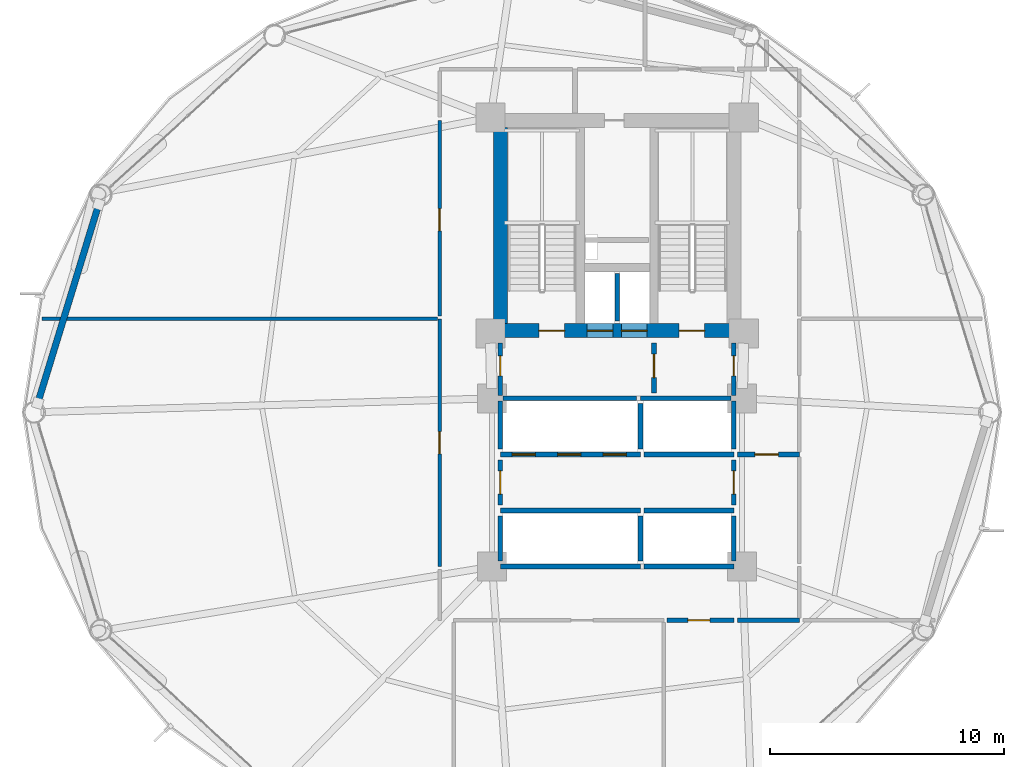
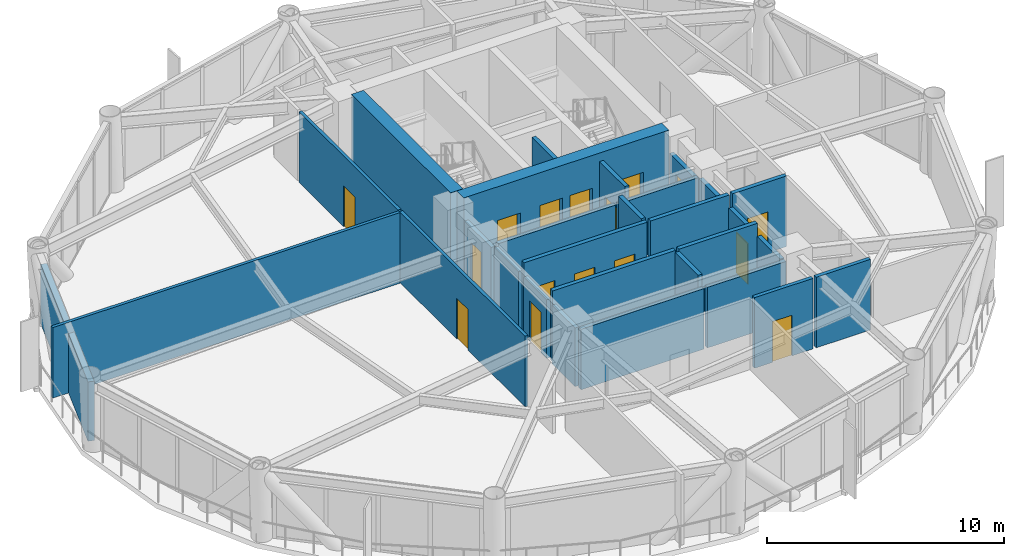
# One storey, part 21 of 25: 29 walls, 16 doors, 16 openings.
"""IFC4 building model written with IfcOpenShell, lengths in metres."""

from ifc_helpers import new_model, si_unit, direction, frame, frame_2d, origin, place, context, subcontext, project, spatial, rectangle, extrude, material, layer, layer_set, type_object, element, fill, save


model = new_model("IFC4")

# Units and contexts
model_context = context("Model", 3, precision=1e-05, world=origin(), true_north=direction((0.0, 1.0)))
body_context = subcontext(model_context, "Body", "Model", "MODEL_VIEW")
ifc_project = project(units=[si_unit("LENGTHUNIT", "METRE"), si_unit("AREAUNIT", "SQUARE_METRE"), si_unit("VOLUMEUNIT", "CUBIC_METRE"), si_unit("PLANEANGLEUNIT", "RADIAN"), si_unit("MASSUNIT", "GRAM", prefix="KILO")], contexts=[model_context])

# Site, building, storey
site_placement = place(None, origin())
site = spatial("IfcSite", under=ifc_project, at=site_placement, CompositionType="ELEMENT")
building_placement = place(site_placement, origin())
building = spatial("IfcBuilding", under=site, at=building_placement, Name="Varnakorn Sky Granary", CompositionType="ELEMENT")
storey_placement = place(building_placement, frame((0.0, 0.0, 35.39990234375)))
storey = spatial("IfcBuildingStorey", under=building, at=storey_placement, Name="L08", CompositionType="ELEMENT", Elevation=35.39990234375)

# Wall, openings, doors
ifc_material_1 = material(Name="Concrete C60/75", Category="concrete")
ifc_layer_1 = layer(ifc_material_1, 0.60009765625, Name="Concrete C60/75")
ifc_layer_set_1 = layer_set([ifc_layer_1], Name="Concrete C60/75")
wall_type_1 = type_object("IfcWallType", Name="WT-CW-SHEAR-600", PredefinedType="SHEAR", material=ifc_layer_set_1)
wall_1_placement = place(storey_placement, frame((-2.0, 3.5, 0.0), z_axis=(0.0, 0.0, 1.0), x_axis=(1.0, 0.0, 0.0)))
wall_1 = element("IfcWall", 1, at=wall_1_placement, inside=storey, type_object=wall_type_1, Name="Core South Shear Wall L08", PredefinedType="SHEAR", context=body_context, shape_type="SweptSolid", body=[
    extrude(rectangle(XDim=10.0, YDim=0.60009765625, at=frame_2d((5.0, 0.0))), origin(), (0.0, 0.0, 1.0), 3.89208984375),
])
opening_1_placement = place(wall_1_placement, frame((1.64990234375, 0.0, 0.0)))
opening_1 = element("IfcOpeningElement", 2, at=opening_1_placement, cuts=wall_1, Name="Opening FD-90", PredefinedType="OPENING", context=body_context, shape_type="SweptSolid", body=[
    extrude(rectangle(XDim=1.10009765625, YDim=2.14990234375, at=frame_2d((0.550048828125, 1.074951171875))), frame((0.0, 0.31005859375, 0.0), z_axis=(0.0, -1.0, 0.0), x_axis=(1.0, 0.0, 0.0)), (0.0, 0.0, 1.0), 0.6201171875),
])
opening_2_placement = place(wall_1_placement, frame((7.64990234375, 0.0, 0.0)))
opening_2 = element("IfcOpeningElement", 3, at=opening_2_placement, cuts=wall_1, Name="Opening FD-90", PredefinedType="OPENING", context=body_context, shape_type="SweptSolid", body=[
    extrude(rectangle(XDim=1.10009765625, YDim=2.14990234375, at=frame_2d((0.550048828125, 1.074951171875))), frame((0.0, 0.31005859375, 0.0), z_axis=(0.0, -1.0, 0.0), x_axis=(1.0, 0.0, 0.0)), (0.0, 0.0, 1.0), 0.6201171875),
])
opening_3_placement = place(wall_1_placement, frame((3.719970703125, 0.0, 0.0)))
opening_3 = element("IfcOpeningElement", 4, at=opening_3_placement, cuts=wall_1, Name="Opening LD-01", PredefinedType="OPENING", context=body_context, shape_type="SweptSolid", body=[
    extrude(rectangle(XDim=1.10009765625, YDim=2.199951171875, at=frame_2d((0.550048828125, 1.10009765625))), frame((0.0, 0.31005859375, 0.0), z_axis=(0.0, -1.0, 0.0), x_axis=(1.0, 0.0, 0.0)), (0.0, 0.0, 1.0), 0.6201171875),
])
opening_4_placement = place(wall_1_placement, frame((5.179931640625, 0.0, 0.0)))
opening_4 = element("IfcOpeningElement", 5, at=opening_4_placement, cuts=wall_1, Name="Opening LD-01", PredefinedType="OPENING", context=body_context, shape_type="SweptSolid", body=[
    extrude(rectangle(XDim=1.10009765625, YDim=2.199951171875, at=frame_2d((0.550048828125, 1.10009765625))), frame((0.0, 0.31005859375, 0.0), z_axis=(0.0, -1.0, 0.0), x_axis=(1.0, 0.0, 0.0)), (0.0, 0.0, 1.0), 0.6201171875),
])
ifc_material_2 = material(Name="Brushed Bronze Stainless Steel", Category="steel")
door_type_1 = type_object("IfcDoorType", Name="DR-LD-1100", OperationType="DOUBLE_DOOR_SLIDING", PredefinedType="DOOR", material=ifc_material_2)
door_1_placement = place(opening_3_placement, origin())
door_1 = element("IfcDoor", 6, at=door_1_placement, inside=storey, type_object=door_type_1, Name="Firefighting Lift FFL-1 Landing Door L08", OperationType="DOUBLE_DOOR_SLIDING", OverallHeight=2.199951171875, OverallWidth=1.10009765625, PredefinedType="DOOR", context=body_context, shape_type="SweptSolid", body=[
    extrude(rectangle(XDim=1.10009765625, YDim=2.199951171875, at=frame_2d((0.550048828125, 1.10009765625))), frame((0.0, 0.02490234375, 0.0), z_axis=(0.0, -1.0, 0.0), x_axis=(1.0, 0.0, 0.0)), (0.0, 0.0, 1.0), 0.050048828125),
])
fill(opening_3, door_1)
door_2_placement = place(opening_4_placement, origin())
door_2 = element("IfcDoor", 7, at=door_2_placement, inside=storey, type_object=door_type_1, Name="Firefighting Lift FFL-2 Landing Door L08", OperationType="DOUBLE_DOOR_SLIDING", OverallHeight=2.199951171875, OverallWidth=1.10009765625, PredefinedType="DOOR", context=body_context, shape_type="SweptSolid", body=[
    extrude(rectangle(XDim=1.10009765625, YDim=2.199951171875, at=frame_2d((0.550048828125, 1.10009765625))), frame((0.0, 0.02490234375, 0.0), z_axis=(0.0, -1.0, 0.0), x_axis=(1.0, 0.0, 0.0)), (0.0, 0.0, 1.0), 0.050048828125),
])
fill(opening_4, door_2)
ifc_material_3 = material(Name="Galvanised Painted Steel Leaf", Category="steel")
door_type_2 = type_object("IfcDoorType", Name="DR-STAIR-1100", OperationType="NOTDEFINED", PredefinedType="DOOR", material=ifc_material_3)
door_3_placement = place(opening_1_placement, origin())
door_3 = element("IfcDoor", 8, at=door_3_placement, inside=storey, type_object=door_type_2, Name="Stair ST-1 Protected Fire Door L08", OperationType="SINGLE_SWING_LEFT", OverallHeight=2.14990234375, OverallWidth=1.10009765625, PredefinedType="DOOR", context=body_context, shape_type="SweptSolid", body=[
    extrude(rectangle(XDim=1.10009765625, YDim=2.14990234375, at=frame_2d((0.550048828125, 1.074951171875))), frame((0.0, 0.02490234375, 0.0), z_axis=(0.0, -1.0, 0.0), x_axis=(1.0, 0.0, 0.0)), (0.0, 0.0, 1.0), 0.050048828125),
])
fill(opening_1, door_3)
door_4_placement = place(opening_2_placement, origin())
door_4 = element("IfcDoor", 9, at=door_4_placement, inside=storey, type_object=door_type_2, Name="Stair ST-2 Protected Fire Door L08", OperationType="SINGLE_SWING_RIGHT", OverallHeight=2.14990234375, OverallWidth=1.10009765625, PredefinedType="DOOR", context=body_context, shape_type="SweptSolid", body=[
    extrude(rectangle(XDim=1.10009765625, YDim=2.14990234375, at=frame_2d((0.550048828125, 1.074951171875))), frame((0.0, 0.02490234375, 0.0), z_axis=(0.0, -1.0, 0.0), x_axis=(1.0, 0.0, 0.0)), (0.0, 0.0, 1.0), 0.050048828125),
])
fill(opening_2, door_4)

# Walls
wall_2_placement = place(storey_placement, frame((-2.0, 3.81005859375, 0.0), z_axis=(0.0, 0.0, 1.0), x_axis=(0.0, 1.0, 0.0)))
element("IfcWall", 10, at=wall_2_placement, inside=storey, type_object=wall_type_1, Name="Core West Shear Wall L08", PredefinedType="SHEAR", context=body_context, shape_type="SweptSolid", body=[
    extrude(rectangle(XDim=8.3798828125, YDim=0.60009765625, at=frame_2d((4.18994140625, 0.0))), origin(), (0.0, 0.0, 1.0), 3.89208984375),
])
ifc_material_4 = material(Name="Precast concrete C40/50", Category="concrete")
ifc_layer_2 = layer(ifc_material_4, 0.280029296875, Name="Precast concrete C40/50")
ifc_layer_set_2 = layer_set([ifc_layer_2], Name="Precast concrete C40/50")
wall_type_2 = type_object("IfcWallType", Name="WT-EW-CRN-280", PredefinedType="SOLIDWALL", material=ifc_layer_set_2)
wall_3_placement = place(storey_placement, frame((-21.80322265625, 0.393798828125, 0.0), z_axis=(0.0, 0.0, 1.0), x_axis=(0.293209332381, 0.956048266253, 0.0)))
element("IfcWall", 11, at=wall_3_placement, inside=storey, type_object=wall_type_2, Name="Agritech Insulated Precast Facade Wall L08-P06", PredefinedType="SOLIDWALL", context=body_context, shape_type="SweptSolid", body=[
    extrude(rectangle(XDim=8.90673828125, YDim=0.280029296875, at=frame_2d((4.453369140625, 0.0))), origin(), (0.0, 0.0, 1.0), 3.06005859375),
])

# Wall, opening, door
ifc_material_5 = material(Name="Autoclaved Aerated Concrete Blockwork", Category="masonry")
ifc_layer_3 = layer(ifc_material_5, 0.199951171875, Name="Autoclaved Aerated Concrete Blockwork")
ifc_layer_set_3 = layer_set([ifc_layer_3], Name="Autoclaved Aerated Concrete Blockwork")
wall_type_3 = type_object("IfcWallType", Name="WT-FIRE-200", PredefinedType="MOVABLE", material=ifc_layer_set_3)
wall_4_placement = place(storey_placement, frame((4.580078125, 0.830078125, 0.0), z_axis=(0.0, 0.0, 1.0), x_axis=(0.0, 1.0, 0.0)))
wall_4 = element("IfcWall", 12, at=wall_4_placement, inside=storey, type_object=wall_type_3, Name="Interior Partition Wall L08-016", PredefinedType="MOVABLE", context=body_context, shape_type="SweptSolid", body=[
    extrude(rectangle(XDim=2.139892578125, YDim=0.199951171875, at=frame_2d((1.06982421875, 0.0))), origin(), (0.0, 0.0, 1.0), 3.64013671875),
])
opening_5_placement = place(wall_4_placement, frame((0.659912109375, 0.0, 0.0)))
opening_5 = element("IfcOpeningElement", 13, at=opening_5_placement, cuts=wall_4, Name="Opening FD-60", PredefinedType="OPENING", context=body_context, shape_type="SweptSolid", body=[
    extrude(rectangle(XDim=1.0, YDim=2.10009765625, at=frame_2d((0.5, 1.050048828125))), frame((0.0, 0.10986328125, 0.0), z_axis=(0.0, -1.0, 0.0), x_axis=(1.0, 0.0, 0.0)), (0.0, 0.0, 1.0), 0.219970703125),
])
ifc_material_6 = material(Name="Acoustic Timber Fire Leaf", Category="wood")
door_type_3 = type_object("IfcDoorType", Name="DR-FD60-1000", OperationType="NOTDEFINED", PredefinedType="DOOR", material=ifc_material_6)
door_5_placement = place(opening_5_placement, origin())
door_5 = element("IfcDoor", 14, at=door_5_placement, inside=storey, type_object=door_type_3, Name="Interior Door L08-016-1", OperationType="SINGLE_SWING_LEFT", OverallHeight=2.10009765625, OverallWidth=1.0, PredefinedType="DOOR", context=body_context, shape_type="SweptSolid", body=[
    extrude(rectangle(XDim=1.0, YDim=2.10009765625, at=frame_2d((0.5, 1.050048828125))), frame((0.0, 0.02490234375, 0.0), z_axis=(0.0, -1.0, 0.0), x_axis=(1.0, 0.0, 0.0)), (0.0, 0.0, 1.0), 0.050048828125),
])
fill(opening_5, door_5)

wall_5_placement = place(storey_placement, frame((-2.0, 0.719970703125, 0.0), z_axis=(0.0, 0.0, 1.0), x_axis=(0.0, 1.0, 0.0)))
wall_5 = element("IfcWall", 15, at=wall_5_placement, inside=storey, type_object=wall_type_3, Name="Interior Partition Wall L08-017", PredefinedType="MOVABLE", context=body_context, shape_type="SweptSolid", body=[
    extrude(rectangle(XDim=2.25, YDim=0.199951171875, at=frame_2d((1.125, 0.0))), origin(), (0.0, 0.0, 1.0), 2.8720703125),
])
opening_6_placement = place(wall_5_placement, frame((0.844970703125, 0.0, 0.0)))
opening_6 = element("IfcOpeningElement", 16, at=opening_6_placement, cuts=wall_5, Name="Opening FD-60N", PredefinedType="OPENING", context=body_context, shape_type="SweptSolid", body=[
    extrude(rectangle(XDim=0.85009765625, YDim=2.10009765625, at=frame_2d((0.425048828125, 1.050048828125))), frame((0.0, 0.10986328125, 0.0), z_axis=(0.0, -1.0, 0.0), x_axis=(1.0, 0.0, 0.0)), (0.0, 0.0, 1.0), 0.219970703125),
])
door_type_4 = type_object("IfcDoorType", Name="DR-FD60-850", OperationType="NOTDEFINED", PredefinedType="DOOR", material=ifc_material_6)
door_6_placement = place(opening_6_placement, origin())
door_6 = element("IfcDoor", 17, at=door_6_placement, inside=storey, type_object=door_type_4, Name="Interior Door L08-017-1", OperationType="SINGLE_SWING_RIGHT", OverallHeight=2.10009765625, OverallWidth=0.85009765625, PredefinedType="DOOR", context=body_context, shape_type="SweptSolid", body=[
    extrude(rectangle(XDim=0.85009765625, YDim=2.10009765625, at=frame_2d((0.425048828125, 1.050048828125))), frame((0.0, 0.02490234375, 0.0), z_axis=(0.0, -1.0, 0.0), x_axis=(1.0, 0.0, 0.0)), (0.0, 0.0, 1.0), 0.050048828125),
])
fill(opening_6, door_6)

wall_6_placement = place(storey_placement, frame((8.0, 0.719970703125, 0.0), z_axis=(0.0, 0.0, 1.0), x_axis=(0.0, 1.0, 0.0)))
wall_6 = element("IfcWall", 18, at=wall_6_placement, inside=storey, type_object=wall_type_3, Name="Interior Partition Wall L08-018", PredefinedType="MOVABLE", context=body_context, shape_type="SweptSolid", body=[
    extrude(rectangle(XDim=2.25, YDim=0.199951171875, at=frame_2d((1.125, 0.0))), origin(), (0.0, 0.0, 1.0), 2.8720703125),
])
opening_7_placement = place(wall_6_placement, frame((0.844970703125, 0.0, 0.0)))
opening_7 = element("IfcOpeningElement", 19, at=opening_7_placement, cuts=wall_6, Name="Opening FD-60N", PredefinedType="OPENING", context=body_context, shape_type="SweptSolid", body=[
    extrude(rectangle(XDim=0.85009765625, YDim=2.10009765625, at=frame_2d((0.425048828125, 1.050048828125))), frame((0.0, 0.10986328125, 0.0), z_axis=(0.0, -1.0, 0.0), x_axis=(1.0, 0.0, 0.0)), (0.0, 0.0, 1.0), 0.219970703125),
])
door_7_placement = place(opening_7_placement, origin())
door_7 = element("IfcDoor", 20, at=door_7_placement, inside=storey, type_object=door_type_4, Name="Interior Door L08-018-1", OperationType="SINGLE_SWING_LEFT", OverallHeight=2.10009765625, OverallWidth=0.85009765625, PredefinedType="DOOR", context=body_context, shape_type="SweptSolid", body=[
    extrude(rectangle(XDim=0.85009765625, YDim=2.10009765625, at=frame_2d((0.425048828125, 1.050048828125))), frame((0.0, 0.02490234375, 0.0), z_axis=(0.0, -1.0, 0.0), x_axis=(1.0, 0.0, 0.0)), (0.0, 0.0, 1.0), 0.050048828125),
])
fill(opening_7, door_7)

wall_7_placement = place(storey_placement, frame((-2.0, -3.969970703125, 0.0), z_axis=(0.0, 0.0, 1.0), x_axis=(0.0, 1.0, 0.0)))
wall_7 = element("IfcWall", 21, at=wall_7_placement, inside=storey, type_object=wall_type_3, Name="Interior Partition Wall L08-019", PredefinedType="MOVABLE", context=body_context, shape_type="SweptSolid", body=[
    extrude(rectangle(XDim=1.93994140625, YDim=0.199951171875, at=frame_2d((0.969970703125, 0.0))), origin(), (0.0, 0.0, 1.0), 3.022216796875),
])
opening_8_placement = place(wall_7_placement, frame((0.469970703125, 0.0, 0.0)))
opening_8 = element("IfcOpeningElement", 22, at=opening_8_placement, cuts=wall_7, Name="Opening FD-60", PredefinedType="OPENING", context=body_context, shape_type="SweptSolid", body=[
    extrude(rectangle(XDim=1.0, YDim=2.10009765625, at=frame_2d((0.5, 1.050048828125))), frame((0.0, 0.10986328125, 0.0), z_axis=(0.0, -1.0, 0.0), x_axis=(1.0, 0.0, 0.0)), (0.0, 0.0, 1.0), 0.219970703125),
])
door_8_placement = place(opening_8_placement, origin())
door_8 = element("IfcDoor", 23, at=door_8_placement, inside=storey, type_object=door_type_3, Name="Interior Door L08-019-1", OperationType="SINGLE_SWING_RIGHT", OverallHeight=2.10009765625, OverallWidth=1.0, PredefinedType="DOOR", context=body_context, shape_type="SweptSolid", body=[
    extrude(rectangle(XDim=1.0, YDim=2.10009765625, at=frame_2d((0.5, 1.050048828125))), frame((0.0, 0.02490234375, 0.0), z_axis=(0.0, -1.0, 0.0), x_axis=(1.0, 0.0, 0.0)), (0.0, 0.0, 1.0), 0.050048828125),
])
fill(opening_8, door_8)

wall_8_placement = place(storey_placement, frame((8.0, -3.969970703125, 0.0), z_axis=(0.0, 0.0, 1.0), x_axis=(0.0, 1.0, 0.0)))
wall_8 = element("IfcWall", 24, at=wall_8_placement, inside=storey, type_object=wall_type_3, Name="Interior Partition Wall L08-020", PredefinedType="MOVABLE", context=body_context, shape_type="SweptSolid", body=[
    extrude(rectangle(XDim=1.93994140625, YDim=0.199951171875, at=frame_2d((0.969970703125, 0.0))), origin(), (0.0, 0.0, 1.0), 3.072021484375),
])
opening_9_placement = place(wall_8_placement, frame((0.469970703125, 0.0, 0.0)))
opening_9 = element("IfcOpeningElement", 25, at=opening_9_placement, cuts=wall_8, Name="Opening FD-60", PredefinedType="OPENING", context=body_context, shape_type="SweptSolid", body=[
    extrude(rectangle(XDim=1.0, YDim=2.10009765625, at=frame_2d((0.5, 1.050048828125))), frame((0.0, 0.10986328125, 0.0), z_axis=(0.0, -1.0, 0.0), x_axis=(1.0, 0.0, 0.0)), (0.0, 0.0, 1.0), 0.219970703125),
])
door_9_placement = place(opening_9_placement, origin())
door_9 = element("IfcDoor", 26, at=door_9_placement, inside=storey, type_object=door_type_3, Name="Interior Door L08-020-1", OperationType="SINGLE_SWING_LEFT", OverallHeight=2.10009765625, OverallWidth=1.0, PredefinedType="DOOR", context=body_context, shape_type="SweptSolid", body=[
    extrude(rectangle(XDim=1.0, YDim=2.10009765625, at=frame_2d((0.5, 1.050048828125))), frame((0.0, 0.02490234375, 0.0), z_axis=(0.0, -1.0, 0.0), x_axis=(1.0, 0.0, 0.0)), (0.0, 0.0, 1.0), 0.050048828125),
])
fill(opening_9, door_9)

wall_9_placement = place(storey_placement, frame((8.159912109375, -1.800048828125, 0.0), z_axis=(0.0, 0.0, 1.0), x_axis=(1.0, 0.0, 0.0)))
wall_9 = element("IfcWall", 27, at=wall_9_placement, inside=storey, type_object=wall_type_3, Name="Interior Partition Wall L08-021", PredefinedType="MOVABLE", context=body_context, shape_type="SweptSolid", body=[
    extrude(rectangle(XDim=2.64013671875, YDim=0.199951171875, at=frame_2d((1.320068359375, 0.0))), origin(), (0.0, 0.0, 1.0), 3.64013671875),
])
opening_10_placement = place(wall_9_placement, frame((0.739990234375, 0.0, 0.0)))
opening_10 = element("IfcOpeningElement", 28, at=opening_10_placement, cuts=wall_9, Name="Opening FD-60", PredefinedType="OPENING", context=body_context, shape_type="SweptSolid", body=[
    extrude(rectangle(XDim=1.0, YDim=2.10009765625, at=frame_2d((0.5, 1.050048828125))), frame((0.0, 0.10986328125, 0.0), z_axis=(0.0, -1.0, 0.0), x_axis=(1.0, 0.0, 0.0)), (0.0, 0.0, 1.0), 0.219970703125),
])
door_10_placement = place(opening_10_placement, origin())
door_10 = element("IfcDoor", 29, at=door_10_placement, inside=storey, type_object=door_type_3, Name="Interior Door L08-021-1", OperationType="SINGLE_SWING_RIGHT", OverallHeight=2.10009765625, OverallWidth=1.0, PredefinedType="DOOR", context=body_context, shape_type="SweptSolid", body=[
    extrude(rectangle(XDim=1.0, YDim=2.10009765625, at=frame_2d((0.5, 1.050048828125))), frame((0.0, 0.02490234375, 0.0), z_axis=(0.0, -1.0, 0.0), x_axis=(1.0, 0.0, 0.0)), (0.0, 0.0, 1.0), 0.050048828125),
])
fill(opening_10, door_10)

# Wall
wall_10_placement = place(storey_placement, frame((-1.8798828125, 0.60009765625, 0.0), z_axis=(0.0, 0.0, 1.0), x_axis=(1.0, 0.0, 0.0)))
element("IfcWall", 30, at=wall_10_placement, inside=storey, type_object=wall_type_3, Name="Interior Partition Wall L08-029", PredefinedType="MOVABLE", context=body_context, shape_type="SweptSolid", body=[
    extrude(rectangle(XDim=5.719970703125, YDim=0.199951171875, at=frame_2d((2.85986328125, 0.0))), origin(), (0.0, 0.0, 1.0), 3.1220703125),
])

# Wall, opening, door
ifc_material_7 = material(Name="Gypsum Plasterboard on Steel Stud", Category="steel")
ifc_layer_4 = layer(ifc_material_7, 0.14990234375, Name="Gypsum Plasterboard on Steel Stud")
ifc_layer_set_4 = layer_set([ifc_layer_4], Name="Gypsum Plasterboard on Steel Stud")
wall_type_4 = type_object("IfcWallType", Name="WT-PART-150", PredefinedType="PARTITIONING", material=ifc_layer_set_4)
wall_11_placement = place(storey_placement, frame((-4.60009765625, 4.0, 0.0), z_axis=(0.0, 0.0, 1.0), x_axis=(0.0, -1.0, 0.0)))
wall_11 = element("IfcWall", 31, at=wall_11_placement, inside=storey, type_object=wall_type_4, Name="Interior Partition Wall L08-025", PredefinedType="PARTITIONING", context=body_context, shape_type="SweptSolid", body=[
    extrude(rectangle(XDim=10.60009765625, YDim=0.14990234375, at=frame_2d((5.300048828125, 0.0))), origin(), (0.0, 0.0, 1.0), 3.64013671875),
])
opening_11_placement = place(wall_11_placement, frame((4.824951171875, 0.0, 0.0)))
opening_11 = element("IfcOpeningElement", 32, at=opening_11_placement, cuts=wall_11, Name="Opening ID-95", PredefinedType="OPENING", context=body_context, shape_type="SweptSolid", body=[
    extrude(rectangle(XDim=0.949951171875, YDim=2.10009765625, at=frame_2d((0.47509765625, 1.050048828125))), frame((0.0, 0.0849609375, 0.0), z_axis=(0.0, -1.0, 0.0), x_axis=(1.0, 0.0, 0.0)), (0.0, 0.0, 1.0), 0.169921875),
])
ifc_material_8 = material(Name="Solid-Core Teak Veneer Leaf", Category="timber")
door_type_5 = type_object("IfcDoorType", Name="DR-INT-950", OperationType="NOTDEFINED", PredefinedType="DOOR", material=ifc_material_8)
door_11_placement = place(opening_11_placement, origin())
door_11 = element("IfcDoor", 33, at=door_11_placement, inside=storey, type_object=door_type_5, Name="Interior Door L08-025-1", OperationType="SINGLE_SWING_RIGHT", OverallHeight=2.10009765625, OverallWidth=0.949951171875, PredefinedType="DOOR", context=body_context, shape_type="SweptSolid", body=[
    extrude(rectangle(XDim=0.949951171875, YDim=2.10009765625, at=frame_2d((0.47509765625, 1.050048828125))), frame((0.0, 0.02490234375, 0.0), z_axis=(0.0, -1.0, 0.0), x_axis=(1.0, 0.0, 0.0)), (0.0, 0.0, 1.0), 0.050048828125),
])
fill(opening_11, door_11)

wall_12_placement = place(storey_placement, frame((-4.60009765625, 12.5, 0.0), z_axis=(0.0, 0.0, 1.0), x_axis=(0.0, -1.0, 0.0)))
wall_12 = element("IfcWall", 34, at=wall_12_placement, inside=storey, type_object=wall_type_4, Name="Interior Partition Wall L08-027", PredefinedType="PARTITIONING", context=body_context, shape_type="SweptSolid", body=[
    extrude(rectangle(XDim=8.364990234375, YDim=0.14990234375, at=frame_2d((4.1826171875, 0.0))), origin(), (0.0, 0.0, 1.0), 3.64013671875),
])
opening_12_placement = place(wall_12_placement, frame((3.77490234375, 0.0, 0.0)))
opening_12 = element("IfcOpeningElement", 35, at=opening_12_placement, cuts=wall_12, Name="Opening ID-95", PredefinedType="OPENING", context=body_context, shape_type="SweptSolid", body=[
    extrude(rectangle(XDim=0.949951171875, YDim=2.10009765625, at=frame_2d((0.47509765625, 1.050048828125))), frame((0.0, 0.0849609375, 0.0), z_axis=(0.0, -1.0, 0.0), x_axis=(1.0, 0.0, 0.0)), (0.0, 0.0, 1.0), 0.169921875),
])
door_12_placement = place(opening_12_placement, origin())
door_12 = element("IfcDoor", 36, at=door_12_placement, inside=storey, type_object=door_type_5, Name="Interior Door L08-027-1", OperationType="SINGLE_SWING_RIGHT", OverallHeight=2.10009765625, OverallWidth=0.949951171875, PredefinedType="DOOR", context=body_context, shape_type="SweptSolid", body=[
    extrude(rectangle(XDim=0.949951171875, YDim=2.10009765625, at=frame_2d((0.47509765625, 1.050048828125))), frame((0.0, 0.02490234375, 0.0), z_axis=(0.0, -1.0, 0.0), x_axis=(1.0, 0.0, 0.0)), (0.0, 0.0, 1.0), 0.050048828125),
])
fill(opening_12, door_12)

# Wall
wall_13_placement = place(storey_placement, frame((-21.6240234375, 4.0, 0.0), z_axis=(0.0, 0.0, 1.0), x_axis=(1.0, 0.0, 0.0)))
element("IfcWall", 37, at=wall_13_placement, inside=storey, type_object=wall_type_4, Name="Interior Partition Wall L08-038", PredefinedType="PARTITIONING", context=body_context, shape_type="SweptSolid", body=[
    extrude(rectangle(XDim=16.93896484375, YDim=0.14990234375, at=frame_2d((8.469482421875, 0.0))), origin(), (0.0, 0.0, 1.0), 3.64013671875),
])

# Wall, opening, door
ifc_material_9 = material(Name="Moisture-Resistant Gypsum on Stud", Category="gypsum")
ifc_layer_5 = layer(ifc_material_9, 0.179931640625, Name="Moisture-Resistant Gypsum on Stud")
ifc_layer_set_5 = layer_set([ifc_layer_5], Name="Moisture-Resistant Gypsum on Stud")
wall_type_5 = type_object("IfcWallType", Name="WT-PLUMB-180", PredefinedType="PLUMBINGWALL", material=ifc_layer_set_5)
wall_14_placement = place(storey_placement, frame((5.135009765625, -8.89990234375, 0.0), z_axis=(0.0, 0.0, 1.0), x_axis=(1.0, 0.0, 0.0)))
wall_14 = element("IfcWall", 38, at=wall_14_placement, inside=storey, type_object=wall_type_5, Name="Interior Partition Wall L08-024", PredefinedType="PLUMBINGWALL", context=body_context, shape_type="SweptSolid", body=[
    extrude(rectangle(XDim=2.864990234375, YDim=0.179931640625, at=frame_2d((1.4326171875, 0.0))), origin(), (0.0, 0.0, 1.0), 3.64013671875),
])
opening_13_placement = place(wall_14_placement, frame((0.889892578125, 0.0, 0.0)))
opening_13 = element("IfcOpeningElement", 39, at=opening_13_placement, cuts=wall_14, Name="Opening ID-95", PredefinedType="OPENING", context=body_context, shape_type="SweptSolid", body=[
    extrude(rectangle(XDim=0.949951171875, YDim=2.10009765625, at=frame_2d((0.47509765625, 1.050048828125))), frame((0.0, 0.10009765625, 0.0), z_axis=(0.0, -1.0, 0.0), x_axis=(1.0, 0.0, 0.0)), (0.0, 0.0, 1.0), 0.199951171875),
])
door_13_placement = place(opening_13_placement, origin())
door_13 = element("IfcDoor", 40, at=door_13_placement, inside=storey, type_object=door_type_5, Name="Interior Door L08-024-1", OperationType="SINGLE_SWING_LEFT", OverallHeight=2.10009765625, OverallWidth=0.949951171875, PredefinedType="DOOR", context=body_context, shape_type="SweptSolid", body=[
    extrude(rectangle(XDim=0.949951171875, YDim=2.10009765625, at=frame_2d((0.47509765625, 1.050048828125))), frame((0.0, 0.02490234375, 0.0), z_axis=(0.0, -1.0, 0.0), x_axis=(1.0, 0.0, 0.0)), (0.0, 0.0, 1.0), 0.050048828125),
])
fill(opening_13, door_13)

# Walls
wall_15_placement = place(storey_placement, frame((8.14990234375, -8.89990234375, 0.0), z_axis=(0.0, 0.0, 1.0), x_axis=(1.0, 0.0, 0.0)))
element("IfcWall", 41, at=wall_15_placement, inside=storey, type_object=wall_type_5, Name="Interior Partition Wall L08-035", PredefinedType="PLUMBINGWALL", context=body_context, shape_type="SweptSolid", body=[
    extrude(rectangle(XDim=2.650146484375, YDim=0.179931640625, at=frame_2d((1.3251953125, 0.0))), origin(), (0.0, 0.0, 1.0), 3.64013671875),
])
ifc_layer_6 = layer(ifc_material_5, 0.199951171875, Name="Autoclaved Aerated Concrete Blockwork")
ifc_layer_set_6 = layer_set([ifc_layer_6], Name="Autoclaved Aerated Concrete Blockwork")
wall_type_6 = type_object("IfcWallType", Name="WT-SHAFT-200", PredefinedType="SOLIDWALL", material=ifc_layer_set_6)
wall_16_placement = place(storey_placement, frame((3.0, 3.919921875, 0.0), z_axis=(0.0, 0.0, 1.0), x_axis=(0.0, 1.0, 0.0)))
element("IfcWall", 42, at=wall_16_placement, inside=storey, type_object=wall_type_6, Name="Interior Partition Wall L08-001", PredefinedType="SOLIDWALL", context=body_context, shape_type="SweptSolid", body=[
    extrude(rectangle(XDim=2.030029296875, YDim=0.199951171875, at=frame_2d((1.01513671875, 0.0))), origin(), (0.0, 0.0, 1.0), 3.64013671875),
])
wall_17_placement = place(storey_placement, frame((4.0, 0.60009765625, 0.0), z_axis=(0.0, 0.0, 1.0), x_axis=(1.0, 0.0, 0.0)))
element("IfcWall", 43, at=wall_17_placement, inside=storey, type_object=wall_type_6, Name="Interior Partition Wall L08-003", PredefinedType="SOLIDWALL", context=body_context, shape_type="SweptSolid", body=[
    extrude(rectangle(XDim=3.8798828125, YDim=0.199951171875, at=frame_2d((1.93994140625, 0.0))), origin(), (0.0, 0.0, 1.0), 3.1220703125),
])

# Wall, openings, doors
wall_18_placement = place(storey_placement, frame((-2.0, -1.800048828125, 0.0), z_axis=(0.0, 0.0, 1.0), x_axis=(1.0, 0.0, 0.0)))
wall_18 = element("IfcWall", 44, at=wall_18_placement, inside=storey, type_object=wall_type_6, Name="Interior Partition Wall L08-004", PredefinedType="SOLIDWALL", context=body_context, shape_type="SweptSolid", body=[
    extrude(rectangle(XDim=6.0, YDim=0.199951171875, at=frame_2d((3.0, 0.0))), origin(), (0.0, 0.0, 1.0), 3.64013671875),
])
opening_14_placement = place(wall_18_placement, frame((0.5, 0.0, 0.0)))
opening_14 = element("IfcOpeningElement", 45, at=opening_14_placement, cuts=wall_18, Name="Opening LD-03", PredefinedType="OPENING", context=body_context, shape_type="SweptSolid", body=[
    extrude(rectangle(XDim=1.0, YDim=2.199951171875, at=frame_2d((0.5, 1.10009765625))), frame((0.0, 0.10986328125, 0.0), z_axis=(0.0, -1.0, 0.0), x_axis=(1.0, 0.0, 0.0)), (0.0, 0.0, 1.0), 0.219970703125),
])
opening_15_placement = place(wall_18_placement, frame((2.449951171875, 0.0, 0.0)))
opening_15 = element("IfcOpeningElement", 46, at=opening_15_placement, cuts=wall_18, Name="Opening LD-03", PredefinedType="OPENING", context=body_context, shape_type="SweptSolid", body=[
    extrude(rectangle(XDim=1.0, YDim=2.199951171875, at=frame_2d((0.5, 1.10009765625))), frame((0.0, 0.10986328125, 0.0), z_axis=(0.0, -1.0, 0.0), x_axis=(1.0, 0.0, 0.0)), (0.0, 0.0, 1.0), 0.219970703125),
])
opening_16_placement = place(wall_18_placement, frame((4.39990234375, 0.0, 0.0)))
opening_16 = element("IfcOpeningElement", 47, at=opening_16_placement, cuts=wall_18, Name="Opening LD-03", PredefinedType="OPENING", context=body_context, shape_type="SweptSolid", body=[
    extrude(rectangle(XDim=1.0, YDim=2.199951171875, at=frame_2d((0.5, 1.10009765625))), frame((0.0, 0.10986328125, 0.0), z_axis=(0.0, -1.0, 0.0), x_axis=(1.0, 0.0, 0.0)), (0.0, 0.0, 1.0), 0.219970703125),
])
door_type_6 = type_object("IfcDoorType", Name="DR-LD-1000", OperationType="DOUBLE_DOOR_SLIDING", PredefinedType="DOOR", material=ifc_material_2)
door_14_placement = place(opening_14_placement, origin())
door_14 = element("IfcDoor", 48, at=door_14_placement, inside=storey, type_object=door_type_6, Name="Passenger Lift PL-L1 Sliding Landing Door L08", OperationType="DOUBLE_DOOR_SLIDING", OverallHeight=2.199951171875, OverallWidth=1.0, PredefinedType="DOOR", context=body_context, shape_type="SweptSolid", body=[
    extrude(rectangle(XDim=1.0, YDim=2.199951171875, at=frame_2d((0.5, 1.10009765625))), frame((0.0, 0.02490234375, 0.0), z_axis=(0.0, -1.0, 0.0), x_axis=(1.0, 0.0, 0.0)), (0.0, 0.0, 1.0), 0.050048828125),
])
fill(opening_14, door_14)
door_15_placement = place(opening_15_placement, origin())
door_15 = element("IfcDoor", 49, at=door_15_placement, inside=storey, type_object=door_type_6, Name="Passenger Lift PL-L2 Sliding Landing Door L08", OperationType="DOUBLE_DOOR_SLIDING", OverallHeight=2.199951171875, OverallWidth=1.0, PredefinedType="DOOR", context=body_context, shape_type="SweptSolid", body=[
    extrude(rectangle(XDim=1.0, YDim=2.199951171875, at=frame_2d((0.5, 1.10009765625))), frame((0.0, 0.02490234375, 0.0), z_axis=(0.0, -1.0, 0.0), x_axis=(1.0, 0.0, 0.0)), (0.0, 0.0, 1.0), 0.050048828125),
])
fill(opening_15, door_15)
door_16_placement = place(opening_16_placement, origin())
door_16 = element("IfcDoor", 50, at=door_16_placement, inside=storey, type_object=door_type_6, Name="Passenger Lift PL-L3 Sliding Landing Door L08", OperationType="DOUBLE_DOOR_SLIDING", OverallHeight=2.199951171875, OverallWidth=1.0, PredefinedType="DOOR", context=body_context, shape_type="SweptSolid", body=[
    extrude(rectangle(XDim=1.0, YDim=2.199951171875, at=frame_2d((0.5, 1.10009765625))), frame((0.0, 0.02490234375, 0.0), z_axis=(0.0, -1.0, 0.0), x_axis=(1.0, 0.0, 0.0)), (0.0, 0.0, 1.0), 0.050048828125),
])
fill(opening_16, door_16)

# Walls
wall_19_placement = place(storey_placement, frame((-2.0, -1.570068359375, 0.0), z_axis=(0.0, 0.0, 1.0), x_axis=(0.0, 1.0, 0.0)))
element("IfcWall", 51, at=wall_19_placement, inside=storey, type_object=wall_type_6, Name="Interior Partition Wall L08-005", PredefinedType="SOLIDWALL", context=body_context, shape_type="SweptSolid", body=[
    extrude(rectangle(XDim=2.050048828125, YDim=0.199951171875, at=frame_2d((1.02490234375, 0.0))), origin(), (0.0, 0.0, 1.0), 3.022216796875),
])
wall_20_placement = place(storey_placement, frame((4.159912109375, -1.800048828125, 0.0), z_axis=(0.0, 0.0, 1.0), x_axis=(1.0, 0.0, 0.0)))
element("IfcWall", 52, at=wall_20_placement, inside=storey, type_object=wall_type_6, Name="Interior Partition Wall L08-006", PredefinedType="SOLIDWALL", context=body_context, shape_type="SweptSolid", body=[
    extrude(rectangle(XDim=3.840087890625, YDim=0.199951171875, at=frame_2d((1.919921875, 0.0))), origin(), (0.0, 0.0, 1.0), 3.64013671875),
])
wall_21_placement = place(storey_placement, frame((4.0, -1.570068359375, 0.0), z_axis=(0.0, 0.0, 1.0), x_axis=(0.0, 1.0, 0.0)))
element("IfcWall", 53, at=wall_21_placement, inside=storey, type_object=wall_type_6, Name="Interior Partition Wall L08-007", PredefinedType="SOLIDWALL", context=body_context, shape_type="SweptSolid", body=[
    extrude(rectangle(XDim=1.940185546875, YDim=0.199951171875, at=frame_2d((0.97021484375, 0.0))), origin(), (0.0, 0.0, 1.0), 3.64013671875),
])
wall_22_placement = place(storey_placement, frame((8.0, -1.570068359375, 0.0), z_axis=(0.0, 0.0, 1.0), x_axis=(0.0, 1.0, 0.0)))
element("IfcWall", 54, at=wall_22_placement, inside=storey, type_object=wall_type_6, Name="Interior Partition Wall L08-008", PredefinedType="SOLIDWALL", context=body_context, shape_type="SweptSolid", body=[
    extrude(rectangle(XDim=2.050048828125, YDim=0.199951171875, at=frame_2d((1.02490234375, 0.0))), origin(), (0.0, 0.0, 1.0), 3.072021484375),
])
wall_23_placement = place(storey_placement, frame((-2.0, -4.199951171875, 0.0), z_axis=(0.0, 0.0, 1.0), x_axis=(1.0, 0.0, 0.0)))
element("IfcWall", 55, at=wall_23_placement, inside=storey, type_object=wall_type_6, Name="Interior Partition Wall L08-009", PredefinedType="SOLIDWALL", context=body_context, shape_type="SweptSolid", body=[
    extrude(rectangle(XDim=6.0, YDim=0.199951171875, at=frame_2d((3.0, 0.0))), origin(), (0.0, 0.0, 1.0), 3.64013671875),
])
wall_24_placement = place(storey_placement, frame((-2.0, -6.60009765625, 0.0), z_axis=(0.0, 0.0, 1.0), x_axis=(1.0, 0.0, 0.0)))
element("IfcWall", 56, at=wall_24_placement, inside=storey, type_object=wall_type_6, Name="Interior Partition Wall L08-010", PredefinedType="SOLIDWALL", context=body_context, shape_type="SweptSolid", body=[
    extrude(rectangle(XDim=6.0, YDim=0.199951171875, at=frame_2d((3.0, 0.0))), origin(), (0.0, 0.0, 1.0), 3.1220703125),
])
wall_25_placement = place(storey_placement, frame((-2.0, -6.3701171875, 0.0), z_axis=(0.0, 0.0, 1.0), x_axis=(0.0, 1.0, 0.0)))
element("IfcWall", 57, at=wall_25_placement, inside=storey, type_object=wall_type_6, Name="Interior Partition Wall L08-011", PredefinedType="SOLIDWALL", context=body_context, shape_type="SweptSolid", body=[
    extrude(rectangle(XDim=1.940185546875, YDim=0.199951171875, at=frame_2d((0.97021484375, 0.0))), origin(), (0.0, 0.0, 1.0), 3.022216796875),
])
wall_26_placement = place(storey_placement, frame((4.159912109375, -4.199951171875, 0.0), z_axis=(0.0, 0.0, 1.0), x_axis=(1.0, 0.0, 0.0)))
element("IfcWall", 58, at=wall_26_placement, inside=storey, type_object=wall_type_6, Name="Interior Partition Wall L08-012", PredefinedType="SOLIDWALL", context=body_context, shape_type="SweptSolid", body=[
    extrude(rectangle(XDim=3.840087890625, YDim=0.199951171875, at=frame_2d((1.919921875, 0.0))), origin(), (0.0, 0.0, 1.0), 3.64013671875),
])
wall_27_placement = place(storey_placement, frame((4.159912109375, -6.60009765625, 0.0), z_axis=(0.0, 0.0, 1.0), x_axis=(1.0, 0.0, 0.0)))
element("IfcWall", 59, at=wall_27_placement, inside=storey, type_object=wall_type_6, Name="Interior Partition Wall L08-013", PredefinedType="SOLIDWALL", context=body_context, shape_type="SweptSolid", body=[
    extrude(rectangle(XDim=3.840087890625, YDim=0.199951171875, at=frame_2d((1.919921875, 0.0))), origin(), (0.0, 0.0, 1.0), 3.1220703125),
])
wall_28_placement = place(storey_placement, frame((4.0, -6.3701171875, 0.0), z_axis=(0.0, 0.0, 1.0), x_axis=(0.0, 1.0, 0.0)))
element("IfcWall", 60, at=wall_28_placement, inside=storey, type_object=wall_type_6, Name="Interior Partition Wall L08-014", PredefinedType="SOLIDWALL", context=body_context, shape_type="SweptSolid", body=[
    extrude(rectangle(XDim=1.940185546875, YDim=0.199951171875, at=frame_2d((0.97021484375, 0.0))), origin(), (0.0, 0.0, 1.0), 3.64013671875),
])
wall_29_placement = place(storey_placement, frame((8.0, -6.3701171875, 0.0), z_axis=(0.0, 0.0, 1.0), x_axis=(0.0, 1.0, 0.0)))
element("IfcWall", 61, at=wall_29_placement, inside=storey, type_object=wall_type_6, Name="Interior Partition Wall L08-015", PredefinedType="SOLIDWALL", context=body_context, shape_type="SweptSolid", body=[
    extrude(rectangle(XDim=1.940185546875, YDim=0.199951171875, at=frame_2d((0.97021484375, 0.0))), origin(), (0.0, 0.0, 1.0), 3.072021484375),
])

save(model, "model.ifc")
